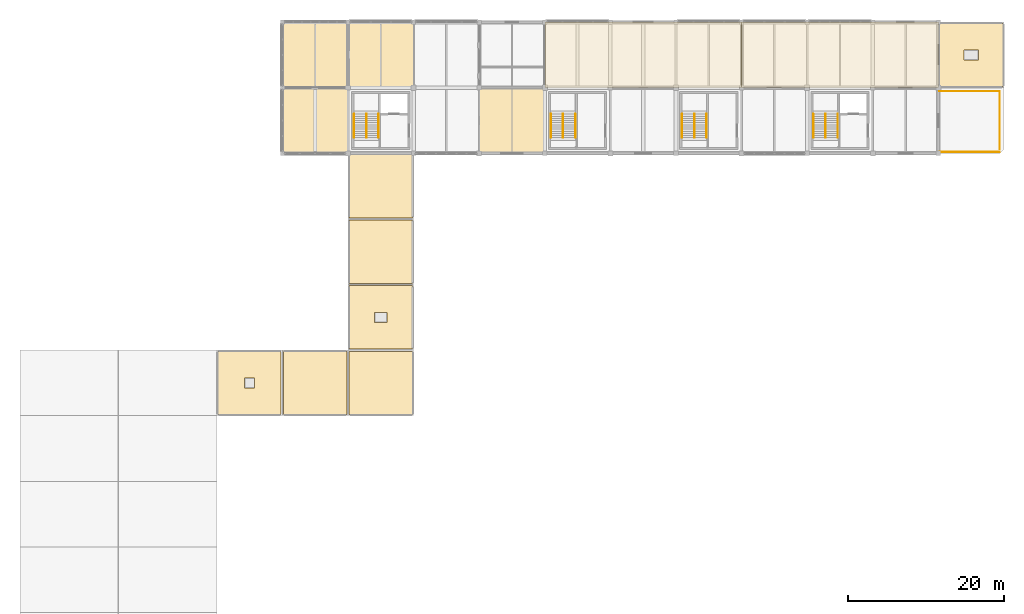
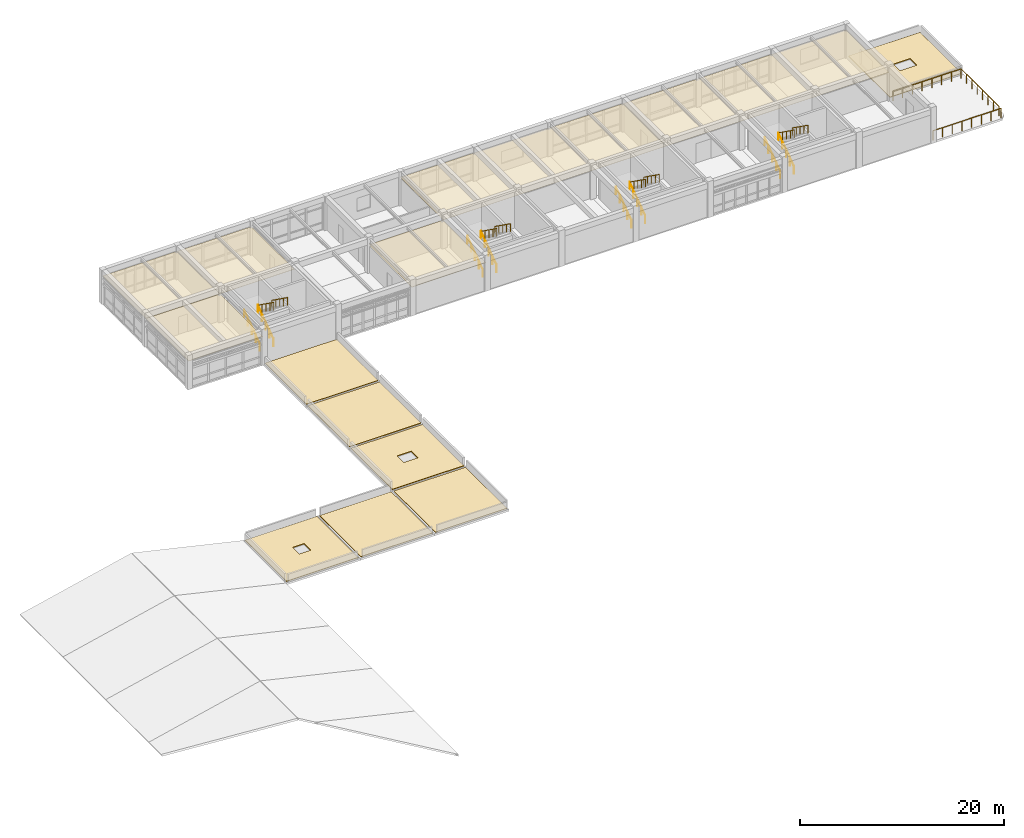
# One storey, part 18 of 18: 19 railings, 13 coverings.
"""IFC4 building model written with IfcOpenShell, lengths in metres."""

from ifc_helpers import new_model, si_unit, direction, frame, origin, origin_2d, place, context, subcontext, project, spatial, polyline, circle, outline, extrude, material, layer, layer_set, type_object, element, save


model = new_model("IFC4")

# Units and contexts
model_context = context("Model", 3, precision=1e-05, world=origin(), true_north=direction((0.0, 1.0)))
body_context = subcontext(model_context, "Body", "Model", "MODEL_VIEW")
ifc_project = project(units=[si_unit("LENGTHUNIT", "METRE"), si_unit("AREAUNIT", "SQUARE_METRE"), si_unit("VOLUMEUNIT", "CUBIC_METRE"), si_unit("PLANEANGLEUNIT", "RADIAN"), si_unit("MASSUNIT", "GRAM", prefix="KILO")], contexts=[model_context])

# Site, building, storey
site_placement = place(None, origin())
site = spatial("IfcSite", under=ifc_project, at=site_placement, CompositionType="ELEMENT")
building_placement = place(site_placement, origin())
building = spatial("IfcBuilding", under=site, at=building_placement, Name="Porcellanite Civic Hall", CompositionType="ELEMENT")
storey_placement = place(building_placement, frame((0.0, 0.0, 23.39990234375)))
storey = spatial("IfcBuildingStorey", under=building, at=storey_placement, Name="L05", CompositionType="ELEMENT", Elevation=23.39990234375)

# Coverings
ifc_material_1 = material(Name="Perforated acoustic mineral-fibre and spotted-gum batten ceiling")
ifc_layer_1 = layer(ifc_material_1, 0.02490234375)
ifc_layer_set_1 = layer_set([ifc_layer_1], Name="Perforated acoustic mineral-fibre and spotted-gum batten ceiling")
covering_type_1 = type_object("IfcCoveringType", Name="COV-CL1", PredefinedType="CEILING", material=ifc_layer_set_1)
covering_1_placement = place(storey_placement, frame((0.0, 0.0, 3.1650390625)))
element("IfcCovering", 1, at=covering_1_placement, inside=storey, type_object=covering_type_1, Name="Acoustic ceiling Lord Mayor Executive Suite", PredefinedType="CEILING", context=body_context, shape_type="SweptSolid", body=[
    extrude(outline(polyline([(75.610107421875, 109.2099609375), (100.7900390625, 109.2099609375), (100.7900390625, 117.590087890625), (75.610107421875, 117.590087890625), (75.610107421875, 109.2099609375)])), origin(), (0.0, 0.0, 1.0), 0.025146484375),
])
covering_2_placement = place(storey_placement, frame((0.0, 0.0, 3.1650390625)))
element("IfcCovering", 2, at=covering_2_placement, inside=storey, type_object=covering_type_1, Name="Acoustic ceiling Civic Reception Salon", PredefinedType="CEILING", context=body_context, shape_type="SweptSolid", body=[
    extrude(outline(polyline([(100.81005859375, 109.2099609375), (125.989990234375, 109.2099609375), (125.989990234375, 117.590087890625), (100.81005859375, 117.590087890625), (100.81005859375, 109.2099609375)])), origin(), (0.0, 0.0, 1.0), 0.025146484375),
])
ifc_material_2 = material(Name="Perforated acoustic mineral-fibre and spotted-gum batten ceiling")
ifc_layer_2 = layer(ifc_material_2, 0.034912109375)
ifc_layer_set_2 = layer_set([ifc_layer_2], Name="Perforated acoustic mineral-fibre and spotted-gum batten ceiling")
covering_type_2 = type_object("IfcCoveringType", Name="COV-CL2", PredefinedType="CEILING", material=ifc_layer_set_2)
covering_3_placement = place(storey_placement, frame((0.0, 0.0, 3.155029296875)))
element("IfcCovering", 3, at=covering_3_placement, inside=storey, type_object=covering_type_2, Name="Acoustic ceiling Governance Secretariat L05-01", PredefinedType="CEILING", context=body_context, shape_type="SweptSolid", body=[
    extrude(outline(polyline([(42.010009765625, 100.81005859375), (50.389892578125, 100.81005859375), (50.389892578125, 109.18994140625), (42.010009765625, 109.18994140625), (42.010009765625, 100.81005859375)])), origin(), (0.0, 0.0, 1.0), 0.03515625),
])
covering_4_placement = place(storey_placement, frame((0.0, 0.0, 3.155029296875)))
element("IfcCovering", 4, at=covering_4_placement, inside=storey, type_object=covering_type_2, Name="Acoustic ceiling Council Secretariat L05-02", PredefinedType="CEILING", context=body_context, shape_type="SweptSolid", body=[
    extrude(outline(polyline([(42.010009765625, 109.2099609375), (50.389892578125, 109.2099609375), (50.389892578125, 117.590087890625), (42.010009765625, 117.590087890625), (42.010009765625, 109.2099609375)])), origin(), (0.0, 0.0, 1.0), 0.03515625),
])
covering_5_placement = place(storey_placement, frame((0.0, 0.0, 3.155029296875)))
element("IfcCovering", 5, at=covering_5_placement, inside=storey, type_object=covering_type_2, Name="Acoustic ceiling Council Secretariat L05-03", PredefinedType="CEILING", context=body_context, shape_type="SweptSolid", body=[
    extrude(outline(polyline([(50.409912109375, 109.2099609375), (58.7900390625, 109.2099609375), (58.7900390625, 117.590087890625), (50.409912109375, 117.590087890625), (50.409912109375, 109.2099609375)])), origin(), (0.0, 0.0, 1.0), 0.03515625),
])
covering_6_placement = place(storey_placement, frame((0.0, 0.0, 3.155029296875)))
element("IfcCovering", 6, at=covering_6_placement, inside=storey, type_object=covering_type_2, Name="Acoustic ceiling Council Secretariat L05-06", PredefinedType="CEILING", context=body_context, shape_type="SweptSolid", body=[
    extrude(outline(polyline([(67.2099609375, 100.81005859375), (75.590087890625, 100.81005859375), (75.590087890625, 109.18994140625), (67.2099609375, 109.18994140625), (67.2099609375, 100.81005859375)])), origin(), (0.0, 0.0, 1.0), 0.03515625),
])
ifc_material_3 = material(Name="Insulated light-reflective TPO monsoon roofing membrane")
ifc_layer_3 = layer(ifc_material_3, 0.080078125)
ifc_layer_set_3 = layer_set([ifc_layer_3], Name="Insulated light-reflective TPO monsoon roofing membrane")
covering_type_3 = type_object("IfcCoveringType", Name="COV-RF1", PredefinedType="ROOFING", material=ifc_layer_set_3)
covering_7_placement = place(storey_placement, origin())
element("IfcCovering", 7, at=covering_7_placement, inside=storey, type_object=covering_type_3, Name="Roof membrane L05 5-9", PredefinedType="ROOFING", context=body_context, shape_type="SweptSolid", body=[
    extrude(outline(polyline([(33.75, 67.35009765625), (41.85009765625, 67.35009765625), (41.85009765625, 75.449951171875), (33.75, 75.449951171875), (33.75, 67.35009765625)]), holes=[polyline([(37.14990234375, 70.75), (38.449951171875, 70.75), (38.449951171875, 72.050048828125), (37.14990234375, 72.050048828125), (37.14990234375, 70.75)])]), origin(), (0.0, 0.0, 1.0), 0.080078125),
])
covering_8_placement = place(storey_placement, origin())
element("IfcCovering", 8, at=covering_8_placement, inside=storey, type_object=covering_type_3, Name="Roof membrane L05 7-10", PredefinedType="ROOFING", context=body_context, shape_type="SweptSolid", body=[
    extrude(outline(polyline([(50.550048828125, 75.75), (58.64990234375, 75.75), (58.64990234375, 83.85009765625), (50.550048828125, 83.85009765625), (50.550048828125, 75.75)]), holes=[polyline([(53.800048828125, 79.14990234375), (55.39990234375, 79.14990234375), (55.39990234375, 80.449951171875), (53.800048828125, 80.449951171875), (53.800048828125, 79.14990234375)])]), origin(), (0.0, 0.0, 1.0), 0.080078125),
])
covering_9_placement = place(storey_placement, origin())
element("IfcCovering", 9, at=covering_9_placement, inside=storey, type_object=covering_type_3, Name="Roof membrane L05 16-14", PredefinedType="ROOFING", context=body_context, shape_type="SweptSolid", body=[
    extrude(outline(polyline([(126.14990234375, 109.35009765625), (134.25, 109.35009765625), (134.25, 117.449951171875), (126.14990234375, 117.449951171875), (126.14990234375, 109.35009765625)]), holes=[polyline([(129.25, 112.75), (131.14990234375, 112.75), (131.14990234375, 114.050048828125), (129.25, 114.050048828125), (129.25, 112.75)])]), origin(), (0.0, 0.0, 1.0), 0.080078125),
])
ifc_material_4 = material(Name="Insulated light-reflective TPO monsoon roofing membrane")
ifc_layer_4 = layer(ifc_material_4, 0.070068359375)
ifc_layer_set_4 = layer_set([ifc_layer_4], Name="Insulated light-reflective TPO monsoon roofing membrane")
covering_type_4 = type_object("IfcCoveringType", Name="COV-RF2", PredefinedType="ROOFING", material=ifc_layer_set_4)
covering_10_placement = place(storey_placement, origin())
element("IfcCovering", 10, at=covering_10_placement, inside=storey, type_object=covering_type_4, Name="Roof membrane L05 6-9", PredefinedType="ROOFING", context=body_context, shape_type="SweptSolid", body=[
    extrude(outline(polyline([(42.14990234375, 67.35009765625), (50.25, 67.35009765625), (50.25, 75.449951171875), (42.14990234375, 75.449951171875), (42.14990234375, 67.35009765625)])), origin(), (0.0, 0.0, 1.0), 0.070068359375),
])
covering_11_placement = place(storey_placement, origin())
element("IfcCovering", 11, at=covering_11_placement, inside=storey, type_object=covering_type_4, Name="Roof membrane L05 7-11", PredefinedType="ROOFING", context=body_context, shape_type="SweptSolid", body=[
    extrude(outline(polyline([(50.550048828125, 84.14990234375), (58.64990234375, 84.14990234375), (58.64990234375, 92.25), (50.550048828125, 92.25), (50.550048828125, 84.14990234375)])), origin(), (0.0, 0.0, 1.0), 0.070068359375),
])
ifc_material_5 = material(Name="Insulated light-reflective TPO monsoon roofing membrane")
ifc_layer_5 = layer(ifc_material_5, 0.06005859375)
ifc_layer_set_5 = layer_set([ifc_layer_5], Name="Insulated light-reflective TPO monsoon roofing membrane")
covering_type_5 = type_object("IfcCoveringType", Name="COV-RF3", PredefinedType="ROOFING", material=ifc_layer_set_5)
covering_12_placement = place(storey_placement, origin())
element("IfcCovering", 12, at=covering_12_placement, inside=storey, type_object=covering_type_5, Name="Roof membrane L05 7-9", PredefinedType="ROOFING", context=body_context, shape_type="SweptSolid", body=[
    extrude(outline(polyline([(50.550048828125, 67.35009765625), (58.64990234375, 67.35009765625), (58.64990234375, 75.449951171875), (50.550048828125, 75.449951171875), (50.550048828125, 67.35009765625)])), origin(), (0.0, 0.0, 1.0), 0.06005859375),
])
covering_13_placement = place(storey_placement, origin())
element("IfcCovering", 13, at=covering_13_placement, inside=storey, type_object=covering_type_5, Name="Roof membrane L05 7-12", PredefinedType="ROOFING", context=body_context, shape_type="SweptSolid", body=[
    extrude(outline(polyline([(50.550048828125, 92.550048828125), (58.64990234375, 92.550048828125), (58.64990234375, 100.64990234375), (50.550048828125, 100.64990234375), (50.550048828125, 92.550048828125)])), origin(), (0.0, 0.0, 1.0), 0.06005859375),
])

# Railings
ifc_material_6 = material(Name="Brushed stainless steel 316", Category="steel")
railing_type_1 = type_object("IfcRailingType", Name="RL-HR920", PredefinedType="HANDRAIL", material=ifc_material_6)
railing_1_placement = place(storey_placement, frame((51.18505859375, 102.800048828125, 0.0)))
element("IfcRailing", 14, at=railing_1_placement, inside=storey, type_object=railing_type_1, Name="Stair handrail ST-03 L05 1", PredefinedType="HANDRAIL", context=body_context, shape_type="SweptSolid", body=[
    extrude(circle(Radius=0.02197265625, at=origin_2d()), frame((0.0, 0.0, 0.89794921875), z_axis=(0.0, 0.813795597845, 0.581151206596), x_axis=(-1.0, 0.0, 0.0)), (0.0, 0.0, 1.0), 3.717041015625),
    extrude(circle(Radius=0.01904296875, at=origin_2d()), origin(), (0.0, 0.0, 1.0), 0.8759765625),
    extrude(circle(Radius=0.01904296875, at=origin_2d()), frame((0.0, 0.75634765625, 0.5400390625)), (0.0, 0.0, 1.0), 0.8759765625),
    extrude(circle(Radius=0.01904296875, at=origin_2d()), frame((0.0, 1.512451171875, 1.080078125)), (0.0, 0.0, 1.0), 0.8759765625),
    extrude(circle(Radius=0.01904296875, at=origin_2d()), frame((0.0, 2.2685546875, 1.6201171875)), (0.0, 0.0, 1.0), 0.8759765625),
    extrude(circle(Radius=0.01904296875, at=origin_2d()), frame((0.0, 3.02490234375, 2.16015625)), (0.0, 0.0, 1.0), 0.8759765625),
])
railing_2_placement = place(storey_placement, frame((52.764892578125, 105.824951171875, 2.16015625)))
element("IfcRailing", 15, at=railing_2_placement, inside=storey, type_object=railing_type_1, Name="Stair handrail ST-03 L05 3", PredefinedType="HANDRAIL", context=body_context, shape_type="SweptSolid", body=[
    extrude(circle(Radius=0.02197265625, at=origin_2d()), frame((0.0, 0.0, 0.89794921875), z_axis=(0.0, -0.813826661234, 0.581107705564), x_axis=(1.0, 0.0, 0.0)), (0.0, 0.0, 1.0), 3.716796875),
    extrude(circle(Radius=0.01904296875, at=origin_2d()), origin(), (0.0, 0.0, 1.0), 0.8759765625),
    extrude(circle(Radius=0.01904296875, at=origin_2d()), frame((0.0, -0.75634765625, 0.5400390625)), (0.0, 0.0, 1.0), 0.8759765625),
    extrude(circle(Radius=0.01904296875, at=origin_2d()), frame((0.0, -1.512451171875, 1.080078125)), (0.0, 0.0, 1.0), 0.8759765625),
    extrude(circle(Radius=0.01904296875, at=origin_2d()), frame((0.0, -2.2685546875, 1.619873046875)), (0.0, 0.0, 1.0), 0.8759765625),
    extrude(circle(Radius=0.01904296875, at=origin_2d()), frame((0.0, -3.02490234375, 2.159912109375)), (0.0, 0.0, 1.0), 0.8759765625),
])
railing_3_placement = place(storey_placement, frame((109.985107421875, 102.800048828125, 0.0)))
element("IfcRailing", 16, at=railing_3_placement, inside=storey, type_object=railing_type_1, Name="Stair handrail ST-04 L05 1", PredefinedType="HANDRAIL", context=body_context, shape_type="SweptSolid", body=[
    extrude(circle(Radius=0.02197265625, at=origin_2d()), frame((0.0, 0.0, 0.89794921875), z_axis=(0.0, 0.813795597845, 0.581151206596), x_axis=(-1.0, 0.0, 0.0)), (0.0, 0.0, 1.0), 3.717041015625),
    extrude(circle(Radius=0.01904296875, at=origin_2d()), origin(), (0.0, 0.0, 1.0), 0.8759765625),
    extrude(circle(Radius=0.01904296875, at=origin_2d()), frame((0.0, 0.75634765625, 0.5400390625)), (0.0, 0.0, 1.0), 0.8759765625),
    extrude(circle(Radius=0.01904296875, at=origin_2d()), frame((0.0, 1.512451171875, 1.080078125)), (0.0, 0.0, 1.0), 0.8759765625),
    extrude(circle(Radius=0.01904296875, at=origin_2d()), frame((0.0, 2.2685546875, 1.6201171875)), (0.0, 0.0, 1.0), 0.8759765625),
    extrude(circle(Radius=0.01904296875, at=origin_2d()), frame((0.0, 3.02490234375, 2.16015625)), (0.0, 0.0, 1.0), 0.8759765625),
])
railing_4_placement = place(storey_placement, frame((111.56494140625, 105.824951171875, 2.16015625)))
element("IfcRailing", 17, at=railing_4_placement, inside=storey, type_object=railing_type_1, Name="Stair handrail ST-04 L05 3", PredefinedType="HANDRAIL", context=body_context, shape_type="SweptSolid", body=[
    extrude(circle(Radius=0.02197265625, at=origin_2d()), frame((0.0, 0.0, 0.89794921875), z_axis=(0.0, -0.813826661234, 0.581107705564), x_axis=(1.0, 0.0, 0.0)), (0.0, 0.0, 1.0), 3.716796875),
    extrude(circle(Radius=0.01904296875, at=origin_2d()), origin(), (0.0, 0.0, 1.0), 0.8759765625),
    extrude(circle(Radius=0.01904296875, at=origin_2d()), frame((0.0, -0.75634765625, 0.5400390625)), (0.0, 0.0, 1.0), 0.8759765625),
    extrude(circle(Radius=0.01904296875, at=origin_2d()), frame((0.0, -1.512451171875, 1.080078125)), (0.0, 0.0, 1.0), 0.8759765625),
    extrude(circle(Radius=0.01904296875, at=origin_2d()), frame((0.0, -2.2685546875, 1.619873046875)), (0.0, 0.0, 1.0), 0.8759765625),
    extrude(circle(Radius=0.01904296875, at=origin_2d()), frame((0.0, -3.02490234375, 2.159912109375)), (0.0, 0.0, 1.0), 0.8759765625),
])
railing_5_placement = place(storey_placement, frame((76.385009765625, 102.800048828125, 0.0)))
element("IfcRailing", 18, at=railing_5_placement, inside=storey, type_object=railing_type_1, Name="Stair handrail ST-09 L05 1", PredefinedType="HANDRAIL", context=body_context, shape_type="SweptSolid", body=[
    extrude(circle(Radius=0.02197265625, at=origin_2d()), frame((0.0, 0.0, 0.89794921875), z_axis=(0.0, 0.813795597845, 0.581151206596), x_axis=(-1.0, 0.0, 0.0)), (0.0, 0.0, 1.0), 3.717041015625),
    extrude(circle(Radius=0.01904296875, at=origin_2d()), origin(), (0.0, 0.0, 1.0), 0.8759765625),
    extrude(circle(Radius=0.01904296875, at=origin_2d()), frame((0.0, 0.75634765625, 0.5400390625)), (0.0, 0.0, 1.0), 0.8759765625),
    extrude(circle(Radius=0.01904296875, at=origin_2d()), frame((0.0, 1.512451171875, 1.080078125)), (0.0, 0.0, 1.0), 0.8759765625),
    extrude(circle(Radius=0.01904296875, at=origin_2d()), frame((0.0, 2.2685546875, 1.6201171875)), (0.0, 0.0, 1.0), 0.8759765625),
    extrude(circle(Radius=0.01904296875, at=origin_2d()), frame((0.0, 3.02490234375, 2.16015625)), (0.0, 0.0, 1.0), 0.8759765625),
])
railing_6_placement = place(storey_placement, frame((77.965087890625, 105.824951171875, 2.16015625)))
element("IfcRailing", 19, at=railing_6_placement, inside=storey, type_object=railing_type_1, Name="Stair handrail ST-09 L05 3", PredefinedType="HANDRAIL", context=body_context, shape_type="SweptSolid", body=[
    extrude(circle(Radius=0.02197265625, at=origin_2d()), frame((0.0, 0.0, 0.89794921875), z_axis=(0.0, -0.813826661234, 0.581107705564), x_axis=(1.0, 0.0, 0.0)), (0.0, 0.0, 1.0), 3.716796875),
    extrude(circle(Radius=0.01904296875, at=origin_2d()), origin(), (0.0, 0.0, 1.0), 0.8759765625),
    extrude(circle(Radius=0.01904296875, at=origin_2d()), frame((0.0, -0.75634765625, 0.5400390625)), (0.0, 0.0, 1.0), 0.8759765625),
    extrude(circle(Radius=0.01904296875, at=origin_2d()), frame((0.0, -1.512451171875, 1.080078125)), (0.0, 0.0, 1.0), 0.8759765625),
    extrude(circle(Radius=0.01904296875, at=origin_2d()), frame((0.0, -2.2685546875, 1.619873046875)), (0.0, 0.0, 1.0), 0.8759765625),
    extrude(circle(Radius=0.01904296875, at=origin_2d()), frame((0.0, -3.02490234375, 2.159912109375)), (0.0, 0.0, 1.0), 0.8759765625),
])
railing_7_placement = place(storey_placement, frame((93.18505859375, 102.800048828125, 0.0)))
element("IfcRailing", 20, at=railing_7_placement, inside=storey, type_object=railing_type_1, Name="Stair handrail ST-10 L05 1", PredefinedType="HANDRAIL", context=body_context, shape_type="SweptSolid", body=[
    extrude(circle(Radius=0.02197265625, at=origin_2d()), frame((0.0, 0.0, 0.89794921875), z_axis=(0.0, 0.813795597845, 0.581151206596), x_axis=(-1.0, 0.0, 0.0)), (0.0, 0.0, 1.0), 3.717041015625),
    extrude(circle(Radius=0.01904296875, at=origin_2d()), origin(), (0.0, 0.0, 1.0), 0.8759765625),
    extrude(circle(Radius=0.01904296875, at=origin_2d()), frame((0.0, 0.75634765625, 0.5400390625)), (0.0, 0.0, 1.0), 0.8759765625),
    extrude(circle(Radius=0.01904296875, at=origin_2d()), frame((0.0, 1.512451171875, 1.080078125)), (0.0, 0.0, 1.0), 0.8759765625),
    extrude(circle(Radius=0.01904296875, at=origin_2d()), frame((0.0, 2.2685546875, 1.6201171875)), (0.0, 0.0, 1.0), 0.8759765625),
    extrude(circle(Radius=0.01904296875, at=origin_2d()), frame((0.0, 3.02490234375, 2.16015625)), (0.0, 0.0, 1.0), 0.8759765625),
])
railing_8_placement = place(storey_placement, frame((94.764892578125, 105.824951171875, 2.16015625)))
element("IfcRailing", 21, at=railing_8_placement, inside=storey, type_object=railing_type_1, Name="Stair handrail ST-10 L05 3", PredefinedType="HANDRAIL", context=body_context, shape_type="SweptSolid", body=[
    extrude(circle(Radius=0.02197265625, at=origin_2d()), frame((0.0, 0.0, 0.89794921875), z_axis=(0.0, -0.813826661234, 0.581107705564), x_axis=(1.0, 0.0, 0.0)), (0.0, 0.0, 1.0), 3.716796875),
    extrude(circle(Radius=0.01904296875, at=origin_2d()), origin(), (0.0, 0.0, 1.0), 0.8759765625),
    extrude(circle(Radius=0.01904296875, at=origin_2d()), frame((0.0, -0.75634765625, 0.5400390625)), (0.0, 0.0, 1.0), 0.8759765625),
    extrude(circle(Radius=0.01904296875, at=origin_2d()), frame((0.0, -1.512451171875, 1.080078125)), (0.0, 0.0, 1.0), 0.8759765625),
    extrude(circle(Radius=0.01904296875, at=origin_2d()), frame((0.0, -2.2685546875, 1.619873046875)), (0.0, 0.0, 1.0), 0.8759765625),
    extrude(circle(Radius=0.01904296875, at=origin_2d()), frame((0.0, -3.02490234375, 2.159912109375)), (0.0, 0.0, 1.0), 0.8759765625),
])
ifc_material_7 = material(Name="Brushed stainless steel 316", Category="steel")
railing_type_2 = type_object("IfcRailingType", Name="RL-HR950", PredefinedType="HANDRAIL", material=ifc_material_7)
railing_9_placement = place(storey_placement, frame((52.735107421875, 102.800048828125, 0.0)))
element("IfcRailing", 22, at=railing_9_placement, inside=storey, type_object=railing_type_2, Name="Stair handrail ST-03 L05 2", PredefinedType="HANDRAIL", context=body_context, shape_type="SweptSolid", body=[
    extrude(circle(Radius=0.02197265625, at=origin_2d()), frame((0.0, 0.0, 0.927978515625), z_axis=(0.0, 0.813795597845, 0.581151206596), x_axis=(-1.0, 0.0, 0.0)), (0.0, 0.0, 1.0), 3.717041015625),
    extrude(circle(Radius=0.01904296875, at=origin_2d()), origin(), (0.0, 0.0, 1.0), 0.906005859375),
    extrude(circle(Radius=0.01904296875, at=origin_2d()), frame((0.0, 0.75634765625, 0.5400390625)), (0.0, 0.0, 1.0), 0.906005859375),
    extrude(circle(Radius=0.01904296875, at=origin_2d()), frame((0.0, 1.512451171875, 1.080078125)), (0.0, 0.0, 1.0), 0.906005859375),
    extrude(circle(Radius=0.01904296875, at=origin_2d()), frame((0.0, 2.2685546875, 1.6201171875)), (0.0, 0.0, 1.0), 0.906005859375),
    extrude(circle(Radius=0.01904296875, at=origin_2d()), frame((0.0, 3.02490234375, 2.16015625)), (0.0, 0.0, 1.0), 0.906005859375),
])
railing_10_placement = place(storey_placement, frame((54.31494140625, 105.824951171875, 2.16015625)))
element("IfcRailing", 23, at=railing_10_placement, inside=storey, type_object=railing_type_2, Name="Stair handrail ST-03 L05 4", PredefinedType="HANDRAIL", context=body_context, shape_type="SweptSolid", body=[
    extrude(circle(Radius=0.02197265625, at=origin_2d()), frame((0.0, 0.0, 0.927978515625), z_axis=(0.0, -0.813826661234, 0.581107705564), x_axis=(1.0, 0.0, 0.0)), (0.0, 0.0, 1.0), 3.716796875),
    extrude(circle(Radius=0.01904296875, at=origin_2d()), origin(), (0.0, 0.0, 1.0), 0.906005859375),
    extrude(circle(Radius=0.01904296875, at=origin_2d()), frame((0.0, -0.75634765625, 0.5400390625)), (0.0, 0.0, 1.0), 0.906005859375),
    extrude(circle(Radius=0.01904296875, at=origin_2d()), frame((0.0, -1.512451171875, 1.080078125)), (0.0, 0.0, 1.0), 0.906005859375),
    extrude(circle(Radius=0.01904296875, at=origin_2d()), frame((0.0, -2.2685546875, 1.619873046875)), (0.0, 0.0, 1.0), 0.906005859375),
    extrude(circle(Radius=0.01904296875, at=origin_2d()), frame((0.0, -3.02490234375, 2.159912109375)), (0.0, 0.0, 1.0), 0.906005859375),
])
railing_11_placement = place(storey_placement, frame((111.534912109375, 102.800048828125, 0.0)))
element("IfcRailing", 24, at=railing_11_placement, inside=storey, type_object=railing_type_2, Name="Stair handrail ST-04 L05 2", PredefinedType="HANDRAIL", context=body_context, shape_type="SweptSolid", body=[
    extrude(circle(Radius=0.02197265625, at=origin_2d()), frame((0.0, 0.0, 0.927978515625), z_axis=(0.0, 0.813795597845, 0.581151206596), x_axis=(-1.0, 0.0, 0.0)), (0.0, 0.0, 1.0), 3.717041015625),
    extrude(circle(Radius=0.01904296875, at=origin_2d()), origin(), (0.0, 0.0, 1.0), 0.906005859375),
    extrude(circle(Radius=0.01904296875, at=origin_2d()), frame((0.0, 0.75634765625, 0.5400390625)), (0.0, 0.0, 1.0), 0.906005859375),
    extrude(circle(Radius=0.01904296875, at=origin_2d()), frame((0.0, 1.512451171875, 1.080078125)), (0.0, 0.0, 1.0), 0.906005859375),
    extrude(circle(Radius=0.01904296875, at=origin_2d()), frame((0.0, 2.2685546875, 1.6201171875)), (0.0, 0.0, 1.0), 0.906005859375),
    extrude(circle(Radius=0.01904296875, at=origin_2d()), frame((0.0, 3.02490234375, 2.16015625)), (0.0, 0.0, 1.0), 0.906005859375),
])
railing_12_placement = place(storey_placement, frame((113.114990234375, 105.824951171875, 2.16015625)))
element("IfcRailing", 25, at=railing_12_placement, inside=storey, type_object=railing_type_2, Name="Stair handrail ST-04 L05 4", PredefinedType="HANDRAIL", context=body_context, shape_type="SweptSolid", body=[
    extrude(circle(Radius=0.02197265625, at=origin_2d()), frame((0.0, 0.0, 0.927978515625), z_axis=(0.0, -0.813826661234, 0.581107705564), x_axis=(1.0, 0.0, 0.0)), (0.0, 0.0, 1.0), 3.716796875),
    extrude(circle(Radius=0.01904296875, at=origin_2d()), origin(), (0.0, 0.0, 1.0), 0.906005859375),
    extrude(circle(Radius=0.01904296875, at=origin_2d()), frame((0.0, -0.75634765625, 0.5400390625)), (0.0, 0.0, 1.0), 0.906005859375),
    extrude(circle(Radius=0.01904296875, at=origin_2d()), frame((0.0, -1.512451171875, 1.080078125)), (0.0, 0.0, 1.0), 0.906005859375),
    extrude(circle(Radius=0.01904296875, at=origin_2d()), frame((0.0, -2.2685546875, 1.619873046875)), (0.0, 0.0, 1.0), 0.906005859375),
    extrude(circle(Radius=0.01904296875, at=origin_2d()), frame((0.0, -3.02490234375, 2.159912109375)), (0.0, 0.0, 1.0), 0.906005859375),
])
railing_13_placement = place(storey_placement, frame((77.93505859375, 102.800048828125, 0.0)))
element("IfcRailing", 26, at=railing_13_placement, inside=storey, type_object=railing_type_2, Name="Stair handrail ST-09 L05 2", PredefinedType="HANDRAIL", context=body_context, shape_type="SweptSolid", body=[
    extrude(circle(Radius=0.02197265625, at=origin_2d()), frame((0.0, 0.0, 0.927978515625), z_axis=(0.0, 0.813795597845, 0.581151206596), x_axis=(-1.0, 0.0, 0.0)), (0.0, 0.0, 1.0), 3.717041015625),
    extrude(circle(Radius=0.01904296875, at=origin_2d()), origin(), (0.0, 0.0, 1.0), 0.906005859375),
    extrude(circle(Radius=0.01904296875, at=origin_2d()), frame((0.0, 0.75634765625, 0.5400390625)), (0.0, 0.0, 1.0), 0.906005859375),
    extrude(circle(Radius=0.01904296875, at=origin_2d()), frame((0.0, 1.512451171875, 1.080078125)), (0.0, 0.0, 1.0), 0.906005859375),
    extrude(circle(Radius=0.01904296875, at=origin_2d()), frame((0.0, 2.2685546875, 1.6201171875)), (0.0, 0.0, 1.0), 0.906005859375),
    extrude(circle(Radius=0.01904296875, at=origin_2d()), frame((0.0, 3.02490234375, 2.16015625)), (0.0, 0.0, 1.0), 0.906005859375),
])
railing_14_placement = place(storey_placement, frame((79.514892578125, 105.824951171875, 2.16015625)))
element("IfcRailing", 27, at=railing_14_placement, inside=storey, type_object=railing_type_2, Name="Stair handrail ST-09 L05 4", PredefinedType="HANDRAIL", context=body_context, shape_type="SweptSolid", body=[
    extrude(circle(Radius=0.02197265625, at=origin_2d()), frame((0.0, 0.0, 0.927978515625), z_axis=(0.0, -0.813826661234, 0.581107705564), x_axis=(1.0, 0.0, 0.0)), (0.0, 0.0, 1.0), 3.716796875),
    extrude(circle(Radius=0.01904296875, at=origin_2d()), origin(), (0.0, 0.0, 1.0), 0.906005859375),
    extrude(circle(Radius=0.01904296875, at=origin_2d()), frame((0.0, -0.75634765625, 0.5400390625)), (0.0, 0.0, 1.0), 0.906005859375),
    extrude(circle(Radius=0.01904296875, at=origin_2d()), frame((0.0, -1.512451171875, 1.080078125)), (0.0, 0.0, 1.0), 0.906005859375),
    extrude(circle(Radius=0.01904296875, at=origin_2d()), frame((0.0, -2.2685546875, 1.619873046875)), (0.0, 0.0, 1.0), 0.906005859375),
    extrude(circle(Radius=0.01904296875, at=origin_2d()), frame((0.0, -3.02490234375, 2.159912109375)), (0.0, 0.0, 1.0), 0.906005859375),
])
railing_15_placement = place(storey_placement, frame((94.735107421875, 102.800048828125, 0.0)))
element("IfcRailing", 28, at=railing_15_placement, inside=storey, type_object=railing_type_2, Name="Stair handrail ST-10 L05 2", PredefinedType="HANDRAIL", context=body_context, shape_type="SweptSolid", body=[
    extrude(circle(Radius=0.02197265625, at=origin_2d()), frame((0.0, 0.0, 0.927978515625), z_axis=(0.0, 0.813795597845, 0.581151206596), x_axis=(-1.0, 0.0, 0.0)), (0.0, 0.0, 1.0), 3.717041015625),
    extrude(circle(Radius=0.01904296875, at=origin_2d()), origin(), (0.0, 0.0, 1.0), 0.906005859375),
    extrude(circle(Radius=0.01904296875, at=origin_2d()), frame((0.0, 0.75634765625, 0.5400390625)), (0.0, 0.0, 1.0), 0.906005859375),
    extrude(circle(Radius=0.01904296875, at=origin_2d()), frame((0.0, 1.512451171875, 1.080078125)), (0.0, 0.0, 1.0), 0.906005859375),
    extrude(circle(Radius=0.01904296875, at=origin_2d()), frame((0.0, 2.2685546875, 1.6201171875)), (0.0, 0.0, 1.0), 0.906005859375),
    extrude(circle(Radius=0.01904296875, at=origin_2d()), frame((0.0, 3.02490234375, 2.16015625)), (0.0, 0.0, 1.0), 0.906005859375),
])
railing_16_placement = place(storey_placement, frame((96.31494140625, 105.824951171875, 2.16015625)))
element("IfcRailing", 29, at=railing_16_placement, inside=storey, type_object=railing_type_2, Name="Stair handrail ST-10 L05 4", PredefinedType="HANDRAIL", context=body_context, shape_type="SweptSolid", body=[
    extrude(circle(Radius=0.02197265625, at=origin_2d()), frame((0.0, 0.0, 0.927978515625), z_axis=(0.0, -0.813826661234, 0.581107705564), x_axis=(1.0, 0.0, 0.0)), (0.0, 0.0, 1.0), 3.716796875),
    extrude(circle(Radius=0.01904296875, at=origin_2d()), origin(), (0.0, 0.0, 1.0), 0.906005859375),
    extrude(circle(Radius=0.01904296875, at=origin_2d()), frame((0.0, -0.75634765625, 0.5400390625)), (0.0, 0.0, 1.0), 0.906005859375),
    extrude(circle(Radius=0.01904296875, at=origin_2d()), frame((0.0, -1.512451171875, 1.080078125)), (0.0, 0.0, 1.0), 0.906005859375),
    extrude(circle(Radius=0.01904296875, at=origin_2d()), frame((0.0, -2.2685546875, 1.619873046875)), (0.0, 0.0, 1.0), 0.906005859375),
    extrude(circle(Radius=0.01904296875, at=origin_2d()), frame((0.0, -3.02490234375, 2.159912109375)), (0.0, 0.0, 1.0), 0.906005859375),
])
ifc_material_8 = material(Name="Anodised aluminium 6063-T6", Category="aluminium")
railing_type_3 = type_object("IfcRailingType", Name="RL-TER115", PredefinedType="BALUSTRADE", material=ifc_material_8)
for number, where, name in (
    (30, (126.159912109375, 100.9599609375, 0.0), "Terrace balustrade L05 S 16-13"),
    (31, (126.159912109375, 108.75, 0.0), "Terrace balustrade L05 N 16-13"),
):
    element("IfcRailing", number, at=place(storey_placement, frame(where)), inside=storey, type_object=railing_type_3, Name=name, PredefinedType="BALUSTRADE", context=body_context, shape_type="SweptSolid", body=[
        extrude(circle(Radius=0.02490234375, at=origin_2d()), frame((0.0, 0.0, 1.125), z_axis=(1.0, 0.0, 0.0), x_axis=(0.0, 1.0, 0.0)), (0.0, 0.0, 1.0), 7.690185546875),
        extrude(circle(Radius=0.02197265625, at=origin_2d()), origin(), (0.0, 0.0, 1.0), 1.099853515625),
        extrude(circle(Radius=0.02197265625, at=origin_2d()), frame((1.0986328125, 0.0, 0.0)), (0.0, 0.0, 1.0), 1.099853515625),
        extrude(circle(Radius=0.02197265625, at=origin_2d()), frame((2.197265625, 0.0, 0.0)), (0.0, 0.0, 1.0), 1.099853515625),
        extrude(circle(Radius=0.02197265625, at=origin_2d()), frame((3.2958984375, 0.0, 0.0)), (0.0, 0.0, 1.0), 1.099853515625),
        extrude(circle(Radius=0.02197265625, at=origin_2d()), frame((4.394287109375, 0.0, 0.0)), (0.0, 0.0, 1.0), 1.099853515625),
        extrude(circle(Radius=0.02197265625, at=origin_2d()), frame((5.492919921875, 0.0, 0.0)), (0.0, 0.0, 1.0), 1.099853515625),
        extrude(circle(Radius=0.02197265625, at=origin_2d()), frame((6.591552734375, 0.0, 0.0)), (0.0, 0.0, 1.0), 1.099853515625),
        extrude(circle(Radius=0.02197265625, at=origin_2d()), frame((7.690185546875, 0.0, 0.0)), (0.0, 0.0, 1.0), 1.099853515625),
    ])
railing_17_placement = place(storey_placement, frame((133.85009765625, 101.35009765625, 0.0)))
element("IfcRailing", 32, at=railing_17_placement, inside=storey, type_object=railing_type_3, Name="Terrace balustrade L05 E 16-13", PredefinedType="BALUSTRADE", context=body_context, shape_type="SweptSolid", body=[
    extrude(circle(Radius=0.02490234375, at=origin_2d()), frame((0.0, 0.0, 1.125), z_axis=(0.0, 1.0, 0.0), x_axis=(-1.0, 0.0, 0.0)), (0.0, 0.0, 1.0), 7.39990234375),
    extrude(circle(Radius=0.02197265625, at=origin_2d()), origin(), (0.0, 0.0, 1.0), 1.099853515625),
    extrude(circle(Radius=0.02197265625, at=origin_2d()), frame((0.0, 1.05712890625, 0.0)), (0.0, 0.0, 1.0), 1.099853515625),
    extrude(circle(Radius=0.02197265625, at=origin_2d()), frame((0.0, 2.1142578125, 0.0)), (0.0, 0.0, 1.0), 1.099853515625),
    extrude(circle(Radius=0.02197265625, at=origin_2d()), frame((0.0, 3.17138671875, 0.0)), (0.0, 0.0, 1.0), 1.099853515625),
    extrude(circle(Radius=0.02197265625, at=origin_2d()), frame((0.0, 4.228515625, 0.0)), (0.0, 0.0, 1.0), 1.099853515625),
    extrude(circle(Radius=0.02197265625, at=origin_2d()), frame((0.0, 5.28564453125, 0.0)), (0.0, 0.0, 1.0), 1.099853515625),
    extrude(circle(Radius=0.02197265625, at=origin_2d()), frame((0.0, 6.3427734375, 0.0)), (0.0, 0.0, 1.0), 1.099853515625),
    extrude(circle(Radius=0.02197265625, at=origin_2d()), frame((0.0, 7.39990234375, 0.0)), (0.0, 0.0, 1.0), 1.099853515625),
])

save(model, "model.ifc")
